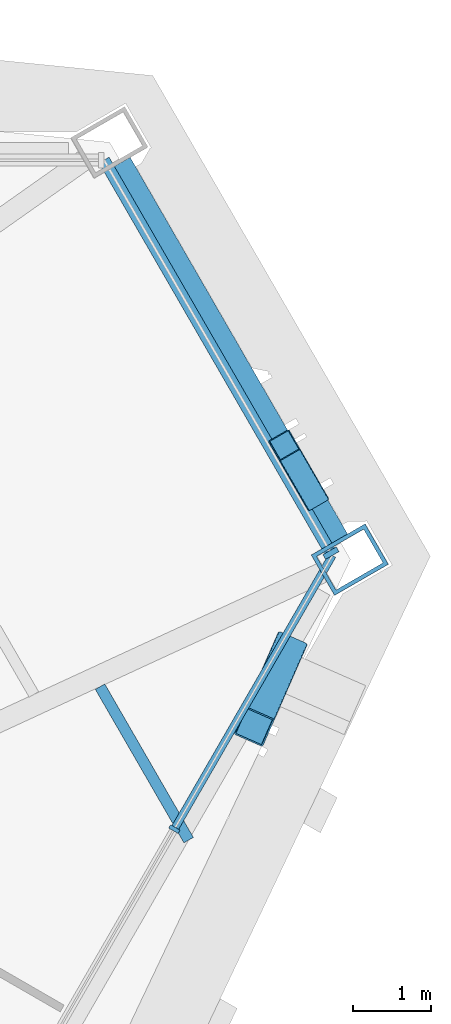
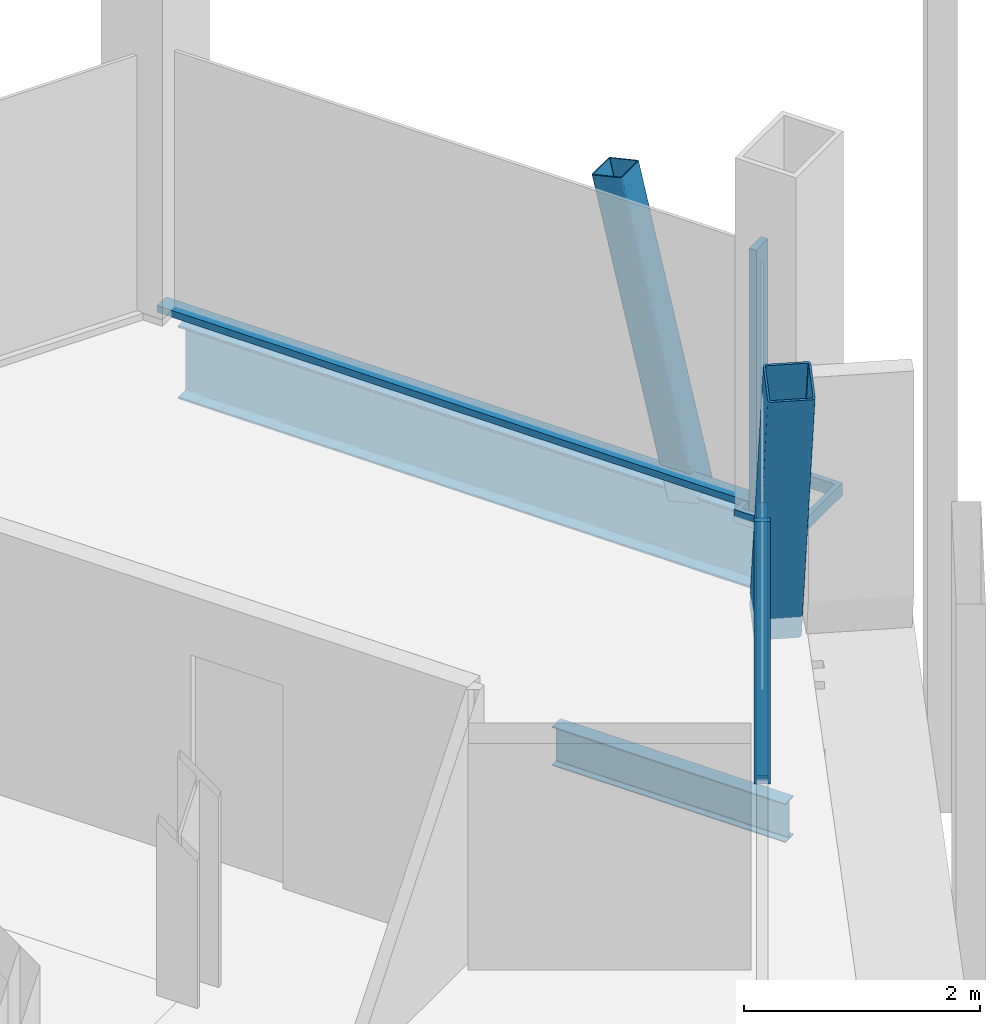
# One storey, part 9 of 16: 7 members, 2 beams, 2 elements without a shape of their own.
"""IFC4 building model written with IfcOpenShell, lengths in metres."""

from ifc_helpers import new_model, si_unit, direction, frame, origin, origin_2d, place, context, subcontext, project, spatial, rectangle, hollow_rectangle, i_section, extrude, material, material_profile, profile_set, type_object, element, aggregate, save


model = new_model("IFC4")

# Units and contexts
model_context = context("Model", 3, precision=1e-05, world=origin(), true_north=direction((0.0, 1.0)))
body_context = subcontext(model_context, "Body", "Model", "MODEL_VIEW")
ifc_project = project(units=[si_unit("LENGTHUNIT", "METRE"), si_unit("AREAUNIT", "SQUARE_METRE"), si_unit("VOLUMEUNIT", "CUBIC_METRE"), si_unit("PLANEANGLEUNIT", "RADIAN"), si_unit("MASSUNIT", "GRAM", prefix="KILO")], contexts=[model_context])

# Site, building, storey
site_placement = place(None, origin())
site = spatial("IfcSite", under=ifc_project, at=site_placement, CompositionType="ELEMENT")
building_placement = place(site_placement, origin())
building = spatial("IfcBuilding", under=site, at=building_placement, Name="Verrane Prism Tower", CompositionType="ELEMENT")
storey_placement = place(building_placement, frame((0.0, 0.0, 236.0)))
storey = spatial("IfcBuildingStorey", under=building, at=storey_placement, Name="L59", CompositionType="ELEMENT", Elevation=236.0)

# Member
ifc_material_1 = material(Name="Steel A500 Grade C", Category="steel")
ifc_material_profile_1 = material_profile(ifc_material_1, hollow_rectangle(XDim=0.3046875, YDim=0.3046875, WallThickness=0.0126953125, InnerFilletRadius=0.00634765625, OuterFilletRadius=0.01904296875, at=origin_2d()), Name="HSS12x12x1/2")
ifc_profile_set_1 = profile_set([ifc_material_profile_1], Name="Steel A500 Grade C")
member_type_1 = type_object("IfcMemberType", Name="Chamfer brace HSS12x12x1/2", PredefinedType="BRACE", material=ifc_profile_set_1)
member_1_placement = place(storey_placement, frame((25.0517578125, 11.988525390625, -0.24267578125), z_axis=(-0.116418923041, 0.201594184977, 0.972525793458), x_axis=(-0.865972450346, -0.500091706831, 0.0)))
element("IfcMember", 1, at=member_1_placement, inside=storey, type_object=member_type_1, Name="Chamfer brace NE0 L59", PredefinedType="BRACE", context=body_context, shape_type="SweptSolid", body=[
    extrude(hollow_rectangle(XDim=0.3046875, YDim=0.3046875, WallThickness=0.0126953125, InnerFilletRadius=0.00634765625, OuterFilletRadius=0.01904296875, at=origin_2d()), origin(), (0.0, 0.0, 1.0), 3.196044921875),
])

# Beam
ifc_material_2 = material(Name="Steel A992", Category="steel")
ifc_material_profile_2 = material_profile(ifc_material_2, i_section(OverallWidth=0.2666015625, OverallDepth=0.7568359375, WebThickness=0.013916015625, FlangeThickness=0.019287109375, FilletRadius=0.0166015625, at=origin_2d()), Name="W30x108")
ifc_profile_set_2 = profile_set([ifc_material_profile_2], Name="Steel A992")
beam_type_1 = type_object("IfcBeamType", Name="Chamfer spandrel beam W30x108", PredefinedType="SPANDREL", material=ifc_profile_set_2)
beam_1_placement = place(storey_placement, frame((25.3798828125, 11.419921875, -0.53857421875), z_axis=(-0.499927487467, 0.866067264868, 0.0), x_axis=(-0.866067264868, -0.499927487467, 0.0)))
element("IfcBeam", 2, at=beam_1_placement, inside=storey, type_object=beam_type_1, Name="Chamfer spandrel beam L59", PredefinedType="SPANDREL", context=body_context, shape_type="SweptSolid", body=[
    extrude(i_section(OverallWidth=0.2666015625, OverallDepth=0.7568359375, WebThickness=0.013916015625, FlangeThickness=0.019287109375, FilletRadius=0.0166015625, at=origin_2d()), origin(), (0.0, 0.0, 1.0), 5.600341796875),
])

# Member
ifc_material_3 = material(Name="Steel A500 Grade C", Category="steel")
ifc_material_profile_3 = material_profile(ifc_material_3, hollow_rectangle(XDim=0.406494140625, YDim=0.406494140625, WallThickness=0.01904296875, InnerFilletRadius=0.009521484375, OuterFilletRadius=0.028564453125, at=origin_2d()), Name="HSS16x16x3/4")
ifc_profile_set_3 = profile_set([ifc_material_profile_3], Name="Steel A500 Grade C")
member_type_2 = type_object("IfcMemberType", Name="Facade brace HSS16x16x3/4", PredefinedType="BRACE", material=ifc_profile_set_3)
member_2_placement = place(storey_placement, frame((24.716796875, 9.9814453125, -0.216796875), z_axis=(-0.126310215839, -0.287932185474, 0.949284354629), x_axis=(0.91575993067, -0.401725963039, 0.0)))
element("IfcMember", 3, at=member_2_placement, inside=storey, type_object=member_type_2, Name="Facade brace SE4 L59", PredefinedType="BRACE", context=body_context, shape_type="SweptSolid", body=[
    extrude(hollow_rectangle(XDim=0.406494140625, YDim=0.406494140625, WallThickness=0.01904296875, InnerFilletRadius=0.009521484375, OuterFilletRadius=0.028564453125, at=origin_2d()), origin(), (0.0, 0.0, 1.0), 3.366943359375),
])

# Beam
ifc_material_4 = material(Name="Steel A992", Category="steel")
ifc_material_profile_4 = material_profile(ifc_material_4, i_section(OverallWidth=0.140380859375, OverallDepth=0.40380859375, WebThickness=0.007080078125, FlangeThickness=0.01123046875, FilletRadius=0.01025390625, at=origin_2d()), Name="W16x31")
ifc_profile_set_4 = profile_set([ifc_material_profile_4], Name="Steel A992")
beam_type_2 = type_object("IfcBeamType", Name="Floor beam W16x31", PredefinedType="BEAM", material=ifc_profile_set_4)
beam_2_placement = place(storey_placement, frame((23.448974609375, 7.550537109375, -0.36181640625), z_axis=(-0.50003140069, 0.866007273829, 0.0), x_axis=(-0.866007273829, -0.50003140069, 0.0)))
element("IfcBeam", 4, at=beam_2_placement, inside=storey, type_object=beam_type_2, Name="Floor beam L59", PredefinedType="BEAM", context=body_context, shape_type="SweptSolid", body=[
    extrude(i_section(OverallWidth=0.140380859375, OverallDepth=0.40380859375, WebThickness=0.007080078125, FlangeThickness=0.01123046875, FilletRadius=0.01025390625, at=origin_2d()), origin(), (0.0, 0.0, 1.0), 2.280029296875),
])

# Member
ifc_material_5 = material(Name="Steel A572 Grade 50", Category="steel")
ifc_material_profile_5 = material_profile(ifc_material_5, hollow_rectangle(XDim=0.60009765625, YDim=0.800048828125, WallThickness=0.050048828125, at=origin_2d()), Name="BOX 800x600x50")
ifc_profile_set_5 = profile_set([ifc_material_profile_5], Name="Steel A572 Grade 50")
member_type_3 = type_object("IfcMemberType", Name="Kink node BOX 800x600x50", PredefinedType="COLLAR", material=ifc_profile_set_5)
member_3_placement = place(storey_placement, frame((25.52294921875, 11.159912109375, -0.06494140625), z_axis=(0.0, 0.0, 1.0), x_axis=(0.5, -0.866025403784, 0.0)))
element("IfcMember", 5, at=member_3_placement, inside=storey, type_object=member_type_3, Name="Kink node MC4 L59", PredefinedType="COLLAR", context=body_context, shape_type="SweptSolid", body=[
    extrude(hollow_rectangle(XDim=0.60009765625, YDim=0.800048828125, WallThickness=0.050048828125, at=origin_2d()), origin(), (0.0, 0.0, 1.0), 0.1298828125),
])

# Curtain wall, member
ifc_material_6 = material(Name="Aluminium framed insulated glazing", Category="aluminium")
curtain_wall_type_1 = type_object("IfcCurtainWallType", Name="Curtain wall CW-C 4200 module", PredefinedType="NOTDEFINED", material=ifc_material_6)
curtain_wall_1_placement = place(storey_placement, origin())
curtain_wall_1 = element("IfcCurtainWall", 6, at=curtain_wall_1_placement, inside=storey, type_object=curtain_wall_type_1, Name="Glazed curtain wall south-east face L59", PredefinedType="NOTDEFINED")
ifc_material_7 = material(Name="Aluminium alloy 6063-T6", Category="aluminium")
ifc_material_profile_6 = material_profile(ifc_material_7, rectangle(XDim=0.139892578125, YDim=0.050048828125, at=origin_2d()), Name="Mullion 50x140 aluminium")
ifc_profile_set_6 = profile_set([ifc_material_profile_6], Name="Aluminium alloy 6063-T6")
member_type_4 = type_object("IfcMemberType", Name="Mullion 50x140 aluminium", PredefinedType="MULLION", material=ifc_profile_set_6)
member_4_placement = place(storey_placement, frame((23.264892578125, 7.6923828125, 0.0), z_axis=(0.0, 0.0, 1.0), x_axis=(-0.866025759098, 0.499999384578, 0.0)))
member_4 = element("IfcMember", 7, at=member_4_placement, type_object=member_type_4, Name="CW59.6 mullion 11", PredefinedType="MULLION", context=body_context, shape_type="SweptSolid", body=[
    extrude(rectangle(XDim=0.139892578125, YDim=0.050048828125, at=origin_2d()), origin(), (0.0, 0.0, 1.0), 2.712890625),
])

ifc_material_8 = material(Name="Aluminium framed insulated glazing", Category="aluminium")
curtain_wall_type_2 = type_object("IfcCurtainWallType", Name="Curtain wall CW-A 8400 module", PredefinedType="NOTDEFINED", material=ifc_material_8)
curtain_wall_2_placement = place(storey_placement, origin())
curtain_wall_2 = element("IfcCurtainWall", 8, at=curtain_wall_2_placement, inside=storey, type_object=curtain_wall_type_2, Name="Glazed curtain wall north-east corner L59", PredefinedType="NOTDEFINED")
ifc_material_9 = material(Name="Aluminium alloy 6063-T6", Category="aluminium")
ifc_material_profile_7 = material_profile(ifc_material_9, rectangle(XDim=0.199951171875, YDim=0.070068359375, at=origin_2d()), Name="Mullion 70x200 aluminium")
ifc_profile_set_7 = profile_set([ifc_material_profile_7], Name="Aluminium alloy 6063-T6")
member_type_5 = type_object("IfcMemberType", Name="Mullion 70x200 aluminium", PredefinedType="MULLION", material=ifc_profile_set_7)
member_5_placement = place(storey_placement, frame((25.280029296875, 11.243408203125, 0.0), z_axis=(0.0, 0.0, 1.0), x_axis=(-0.866025741287, -0.499999415427, 0.0)))
member_5 = element("IfcMember", 9, at=member_5_placement, type_object=member_type_5, Name="CW59.1 mullion 1", PredefinedType="MULLION", context=body_context, shape_type="SweptSolid", body=[
    extrude(rectangle(XDim=0.199951171875, YDim=0.070068359375, at=origin_2d()), origin(), (0.0, 0.0, 1.0), 2.712890625),
])

# Member
ifc_material_10 = material(Name="Aluminium alloy 6063-T6", Category="aluminium")
ifc_material_profile_8 = material_profile(ifc_material_10, rectangle(XDim=0.10009765625, YDim=0.050048828125, at=origin_2d()), Name="Transom 50x100 aluminium")
ifc_profile_set_8 = profile_set([ifc_material_profile_8], Name="Aluminium alloy 6063-T6")
member_type_6 = type_object("IfcMemberType", Name="Transom 50x100 aluminium", PredefinedType="USERDEFINED", material=ifc_profile_set_8)
member_6_placement = place(storey_placement, frame((23.27734375, 7.714111328125, 0.02490234375), z_axis=(0.500018849926, 0.866014520501, 0.0), x_axis=(-0.866014520501, 0.500018849926, 0.0)))
member_6 = element("IfcMember", 10, at=member_6_placement, type_object=member_type_6, Name="CW59.6 transom 11", ObjectType="TRANSOM", PredefinedType="USERDEFINED", context=body_context, shape_type="SweptSolid", body=[
    extrude(rectangle(XDim=0.10009765625, YDim=0.050048828125, at=origin_2d()), origin(), (0.0, 0.0, 1.0), 4.040283203125),
])

aggregate(curtain_wall_1, [member_4, member_6])

ifc_material_11 = material(Name="Aluminium alloy 6063-T6", Category="aluminium")
ifc_material_profile_9 = material_profile(ifc_material_11, rectangle(XDim=0.14990234375, YDim=0.070068359375, at=origin_2d()), Name="Transom 70x150 aluminium")
ifc_profile_set_9 = profile_set([ifc_material_profile_9], Name="Aluminium alloy 6063-T6")
member_type_7 = type_object("IfcMemberType", Name="Transom 70x150 aluminium", PredefinedType="USERDEFINED", material=ifc_profile_set_9)
member_7_placement = place(storey_placement, frame((25.2626953125, 11.27392578125, 0.034912109375), z_axis=(-0.500033069573, 0.866006310216, 0.0), x_axis=(-0.866006310216, -0.500033069573, 0.0)))
member_7 = element("IfcMember", 11, at=member_7_placement, type_object=member_type_7, Name="CW59.1 transom 1", ObjectType="TRANSOM", PredefinedType="USERDEFINED", context=body_context, shape_type="SweptSolid", body=[
    extrude(rectangle(XDim=0.14990234375, YDim=0.070068359375, at=origin_2d()), origin(), (0.0, 0.0, 1.0), 5.8056640625),
])

aggregate(curtain_wall_2, [member_5, member_7])

save(model, "model.ifc")
